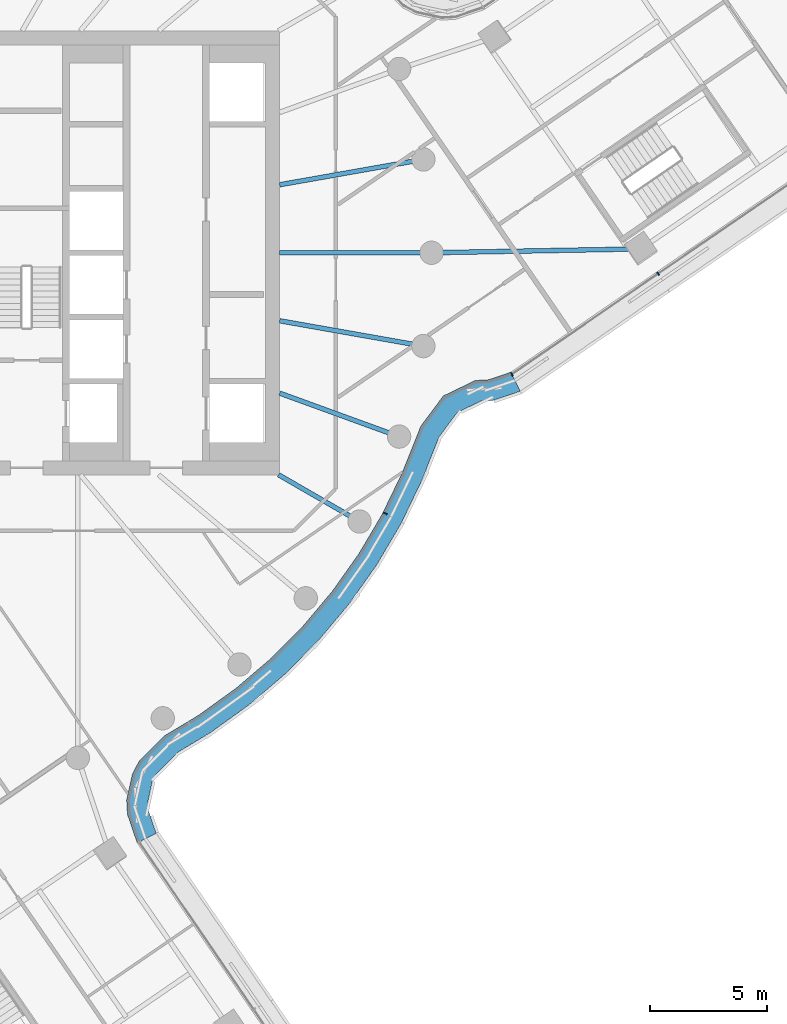
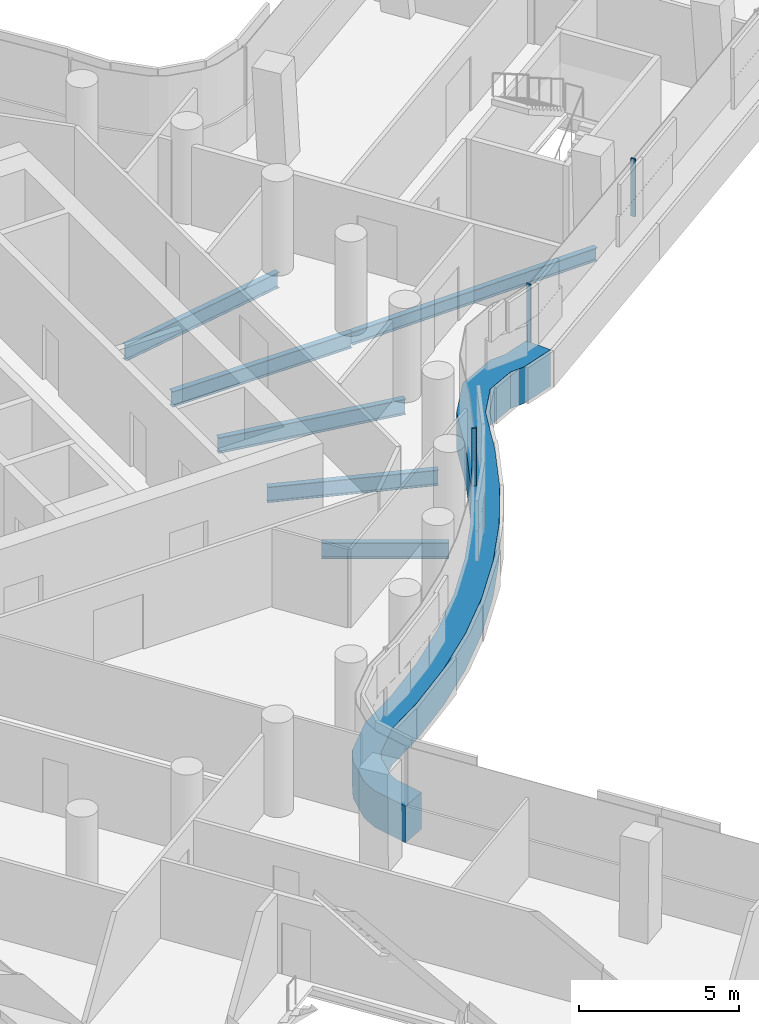
# One storey, part 12 of 33: 6 beams, 4 members, 2 elements without a shape of their own.
"""IFC4 building model written with IfcOpenShell, lengths in metres."""

import ifcopenshell
import ifcopenshell.guid

model = None  # the IFC model being written
_history = None  # IfcOwnerHistory: only IFC2X3 demands one
_inside = {}  # id of a spatial element -> (the spatial element, [elements in it])
_under = {}  # id of a project, library or spatial element -> (it, [spatial elements below it])
_declared = {}  # id of a project -> (the project, [libraries it declares])
_typed = {}  # id of a type object -> (the type object, [elements of that type])
_made_of = {}  # id of a material, layer set ... -> (it, [elements and type objects made of it])


def new_model(schema):
    """Start an empty IFC model of exactly this schema.

    Asked for "IFC4X3", IfcOpenShell would pick the latest addendum, in which some entities
    have other attributes; the version numbers below select the first issue.
    IFC2X3 requires an IfcOwnerHistory on every rooted entity: one is made here for all.
    """
    global model, _history
    if schema == "IFC4X3":
        model = ifcopenshell.file(schema_version=(4, 3, 0, 0))
    else:
        model = ifcopenshell.file(schema=schema)
    _inside.clear()
    _under.clear()
    _declared.clear()
    _typed.clear()
    _made_of.clear()
    _history = None
    if model.schema == "IFC2X3":
        org = make("IfcOrganization", Name="unknown")
        user = make(
            "IfcPersonAndOrganization",
            ThePerson=make("IfcPerson", FamilyName="unknown"),
            TheOrganization=org,
        )
        app = make(
            "IfcApplication",
            ApplicationDeveloper=org,
            Version="unknown",
            ApplicationFullName="unknown",
            ApplicationIdentifier="unknown",
        )
        _history = make(
            "IfcOwnerHistory",
            OwningUser=user,
            OwningApplication=app,
            ChangeAction="ADDED",
            CreationDate=0,
        )
    return model


def make(cls, **values):
    """One entity of the class cls with the attributes given. An attribute that is None is left unset."""
    return model.create_entity(
        cls, **{name: value for name, value in values.items() if value is not None}
    )


def rooted(cls, **values):
    """An entity with a GlobalId (a new one), such as an element, a storey or a relation."""
    return make(cls, GlobalId=ifcopenshell.guid.new(), OwnerHistory=_history, **values)


def si_unit(unit_type, name, prefix=None):
    """IfcSIUnit, for example si_unit("LENGTHUNIT", "METRE", prefix="MILLI")."""
    return make("IfcSIUnit", UnitType=unit_type, Prefix=prefix, Name=name)


def assignment(units):
    """IfcUnitAssignment: the units of a project."""
    return None if units is None else make("IfcUnitAssignment", Units=units)


def point(xyz):
    """IfcCartesianPoint."""
    return None if xyz is None else make("IfcCartesianPoint", Coordinates=xyz)


def direction(xyz):
    """IfcDirection."""
    return None if xyz is None else make("IfcDirection", DirectionRatios=xyz)


def frame(location, z_axis=None, x_axis=None):
    """IfcAxis2Placement3D, a coordinate frame: its origin and axes. An axis left out is left unset."""
    return make(
        "IfcAxis2Placement3D",
        Location=point(location),
        Axis=direction(z_axis),
        RefDirection=direction(x_axis),
    )


def frame_2d(location, x_axis=None):
    """IfcAxis2Placement2D, a coordinate frame in the plane: its origin and x axis."""
    return make(
        "IfcAxis2Placement2D", Location=point(location), RefDirection=direction(x_axis)
    )


def origin():
    """The frame at (0, 0, 0) with its axes left unset."""
    return frame((0.0, 0.0, 0.0))


def origin_2d():
    """The frame at (0, 0) in the plane with its x axis left unset."""
    return frame_2d((0.0, 0.0))


def place(relative_to, where):
    """IfcLocalPlacement: puts the frame where relative to a parent placement (None: the world)."""
    return make(
        "IfcLocalPlacement", PlacementRelTo=relative_to, RelativePlacement=where
    )


def context(
    kind, dimensions, precision=None, world=None, true_north=None, identifier=None
):
    """IfcGeometricRepresentationContext, for example the 3D "Model" context."""
    return make(
        "IfcGeometricRepresentationContext",
        ContextIdentifier=identifier,
        ContextType=kind,
        CoordinateSpaceDimension=dimensions,
        Precision=precision,
        WorldCoordinateSystem=world,
        TrueNorth=true_north,
    )


def subcontext(parent, identifier, kind, view, scale=None):
    """IfcGeometricRepresentationSubContext, for example "Body" below "Model"."""
    return make(
        "IfcGeometricRepresentationSubContext",
        ContextIdentifier=identifier,
        ContextType=kind,
        ParentContext=parent,
        TargetScale=scale,
        TargetView=view,
    )


def project(units=None, contexts=None):
    """IfcProject with its units and contexts."""
    return rooted(
        "IfcProject",
        Name="project",
        RepresentationContexts=contexts,
        UnitsInContext=assignment(units),
    )


def spatial(cls, under=None, at=None, **own):
    """A site, building, storey or space (cls), placed at a placement, below another one or the project."""
    s = rooted(cls, ObjectPlacement=at, **own)
    if under is not None:
        _under.setdefault(under.id(), (under, []))[1].append(s)
    return s


def polyline(points):
    """IfcPolyline through the points."""
    return make("IfcPolyline", Points=[point(p) for p in points])


def profile(cls, at=None, kind="AREA", **sizes):
    """A parametric profile (cls). Its sizes go by their IFC names, for example OverallWidth=200.0."""
    return make(cls, ProfileType=kind, Position=at, **sizes)


def rectangle(**sizes):
    """IfcRectangleProfileDef."""
    return profile("IfcRectangleProfileDef", **sizes)


def i_section(**sizes):
    """IfcIShapeProfileDef."""
    return profile("IfcIShapeProfileDef", **sizes)


def outline(outer, holes=None, kind="AREA"):
    """IfcArbitraryClosedProfileDef: a profile drawn as a closed curve; with holes, ...WithVoids."""
    if holes is None:
        return make("IfcArbitraryClosedProfileDef", ProfileType=kind, OuterCurve=outer)
    return make(
        "IfcArbitraryProfileDefWithVoids",
        ProfileType=kind,
        OuterCurve=outer,
        InnerCurves=holes,
    )


def extrude(swept, where, along, depth):
    """IfcExtrudedAreaSolid: the profile swept, set in the frame where, extruded along a direction by depth."""
    return make(
        "IfcExtrudedAreaSolid",
        SweptArea=swept,
        Position=where,
        ExtrudedDirection=direction(along),
        Depth=depth,
    )


def shape(context_of_items, identifier, shape_type, items):
    """IfcShapeRepresentation: the items that make up one representation, for example the "Body"."""
    return make(
        "IfcShapeRepresentation",
        ContextOfItems=context_of_items,
        RepresentationIdentifier=identifier,
        RepresentationType=shape_type,
        Items=items,
    )


def material(Name=None, Category=None):
    """IfcMaterial."""
    return make("IfcMaterial", Name=Name, Category=Category)


def layer(
    of_material, thickness, ventilated=None, Name=None, Category=None, Priority=None
):
    """IfcMaterialLayer: one layer of a wall or slab, of a material (None: an air gap)."""
    return make(
        "IfcMaterialLayer",
        Material=of_material,
        LayerThickness=thickness,
        IsVentilated=ventilated,
        Name=Name,
        Category=Category,
        Priority=Priority,
    )


def layer_set(layers, Name=None):
    """IfcMaterialLayerSet."""
    return make("IfcMaterialLayerSet", MaterialLayers=layers, LayerSetName=Name)


def material_profile(
    of_material, cross_section, Name=None, Category=None, Priority=None
):
    """IfcMaterialProfile: a cross section and its material."""
    return make(
        "IfcMaterialProfile",
        Name=Name,
        Material=of_material,
        Profile=cross_section,
        Priority=Priority,
        Category=Category,
    )


def profile_set(profiles, Name=None, composite=None):
    """IfcMaterialProfileSet."""
    return make(
        "IfcMaterialProfileSet",
        Name=Name,
        MaterialProfiles=profiles,
        CompositeProfile=composite,
    )


def made_of(thing, what):
    """Note that an element or type object is made of a material, layer set ...; save() writes the relation."""
    if what is not None:
        _made_of.setdefault(what.id(), (what, []))[1].append(thing)
    return thing


def type_object(cls, material=None, **own):
    """A type object (cls), such as IfcWallType, which elements share."""
    return made_of(rooted(cls, **own), material)


def element(
    cls,
    number,
    at=None,
    inside=None,
    cuts=None,
    type_object=None,
    material=None,
    context=None,
    identifier="Body",
    shape_type=None,
    held_by="IfcProductDefinitionShape",
    body=None,
    shapes=None,
    **own,
):
    """One element of the class cls, such as IfcWall. Its Tag is "e" and its number.

    at: its placement. inside: the storey or other place that contains it. cuts: it is an
    opening in that element (IfcRelVoidsElement). A single representation is given by context,
    identifier, shape_type and body (its items); several are given by shapes. held_by: the class
    of the entity that holds the representations. save() writes the other relations.
    """
    e = rooted(cls, Tag="e%d" % number, ObjectPlacement=at, **own)
    if body is not None:
        shapes = [shape(context, identifier, shape_type, body)]
    if shapes is not None:
        e.Representation = make(held_by, Representations=shapes)
    if inside is not None:
        _inside.setdefault(inside.id(), (inside, []))[1].append(e)
    if cuts is not None:
        rooted(
            "IfcRelVoidsElement", RelatingBuildingElement=cuts, RelatedOpeningElement=e
        )
    if type_object is not None:
        _typed.setdefault(type_object.id(), (type_object, []))[1].append(e)
    return made_of(e, material)


def aggregate(whole, parts):
    """IfcRelAggregates: a whole, such as a stair, and the parts it consists of."""
    return rooted("IfcRelAggregates", RelatingObject=whole, RelatedObjects=parts)


def save(model, path):
    """Write the relations noted so far, then the file.

    IfcRelAggregates (storeys below a building ...), IfcRelContainedInSpatialStructure (elements
    in a storey), IfcRelDefinesByType, IfcRelAssociatesMaterial and IfcRelDeclares: one each for
    every whole, place, type object, material and project.
    """
    for whole, parts in _under.values():
        aggregate(whole, parts)
    for where, things in _inside.values():
        rooted(
            "IfcRelContainedInSpatialStructure",
            RelatedElements=things,
            RelatingStructure=where,
        )
    for kind, things in _typed.values():
        rooted("IfcRelDefinesByType", RelatedObjects=things, RelatingType=kind)
    for what, things in _made_of.values():
        rooted("IfcRelAssociatesMaterial", RelatedObjects=things, RelatingMaterial=what)
    for by, libraries in _declared.values():
        rooted("IfcRelDeclares", RelatingContext=by, RelatedDefinitions=libraries)
    model.write(path)


model = new_model("IFC4")

# Units and contexts
model_context = context("Model", 3, precision=1e-05, world=origin(), true_north=direction((0.0, 1.0)))
body_context = subcontext(model_context, "Body", "Model", "MODEL_VIEW")
ifc_project = project(units=[si_unit("LENGTHUNIT", "METRE"), si_unit("AREAUNIT", "SQUARE_METRE"), si_unit("VOLUMEUNIT", "CUBIC_METRE"), si_unit("PLANEANGLEUNIT", "RADIAN"), si_unit("MASSUNIT", "GRAM", prefix="KILO")], contexts=[model_context])

# Site, building, storey
site_placement = place(None, origin())
site = spatial("IfcSite", under=ifc_project, at=site_placement, CompositionType="ELEMENT")
building_placement = place(site_placement, origin())
building = spatial("IfcBuilding", under=site, at=building_placement, Name="Tamarind Cross Interchange Tower", CompositionType="ELEMENT")
storey_placement = place(building_placement, frame((0.0, 0.0, 159.25)))
storey = spatial("IfcBuildingStorey", under=building, at=storey_placement, Name="L39", CompositionType="ELEMENT", Elevation=159.25)

# Beams
ifc_material_1 = material(Name="Steel Q355B", Category="steel")
ifc_material_profile_1 = material_profile(ifc_material_1, i_section(OverallWidth=0.198974609375, OverallDepth=0.49609375, WebThickness=0.009033203125, FlangeThickness=0.013916015625, FilletRadius=0.012939453125, at=origin_2d()), Name="HN 496x199x9x14")
ifc_profile_set_1 = profile_set([ifc_material_profile_1], Name="Steel Q355B")
beam_type_1 = type_object("IfcBeamType", Name="Composite beam HN 496x199x9x14 Q355B", PredefinedType="BEAM", material=ifc_profile_set_1)
beam_1_placement = place(storey_placement, frame((31.95556640625, 0.164794921875, -0.387939453125), z_axis=(-0.999830737301, -0.01839828111, 0.0), x_axis=(0.01839828111, -0.999830737301, 0.0)))
element("IfcBeam", 1, at=beam_1_placement, inside=storey, type_object=beam_type_1, Name="Beam E-linkem", PredefinedType="BEAM", context=body_context, shape_type="SweptSolid", body=[
    extrude(i_section(OverallWidth=0.198974609375, OverallDepth=0.49609375, WebThickness=0.009033203125, FlangeThickness=0.013916015625, FilletRadius=0.012939453125, at=origin_2d()), origin(), (0.0, 0.0, 1.0), 8.95703125),
])
ifc_material_profile_2 = material_profile(ifc_material_1, i_section(OverallWidth=0.198974609375, OverallDepth=0.595947265625, WebThickness=0.010009765625, FlangeThickness=0.014892578125, FilletRadius=0.012939453125, at=origin_2d()), Name="HN 596x199x10x15")
ifc_profile_set_2 = profile_set([ifc_material_profile_2], Name="Steel Q355B")
beam_type_2 = type_object("IfcBeamType", Name="Composite beam HN 596x199x10x15 Q355B", PredefinedType="BEAM", material=ifc_profile_set_2)
beam_2_placement = place(storey_placement, frame((23.0, 0.0, -0.43798828125), z_axis=(-1.0, 0.0, 0.0), x_axis=(0.0, -1.0, 0.0)))
element("IfcBeam", 2, at=beam_2_placement, inside=storey, type_object=beam_type_2, Name="Beam HH00", PredefinedType="BEAM", context=body_context, shape_type="SweptSolid", body=[
    extrude(i_section(OverallWidth=0.198974609375, OverallDepth=0.595947265625, WebThickness=0.010009765625, FlangeThickness=0.014892578125, FilletRadius=0.012939453125, at=origin_2d()), origin(), (0.0, 0.0, 1.0), 6.5),
])
beam_3_placement = place(storey_placement, frame((22.650634765625, 3.993896484375, -0.43798828125), z_axis=(-0.984809127561, -0.173640382036, 0.0), x_axis=(0.173640382036, -0.984809127561, 0.0)))
element("IfcBeam", 3, at=beam_3_placement, inside=storey, type_object=beam_type_2, Name="Beam HH01", PredefinedType="BEAM", context=body_context, shape_type="SweptSolid", body=[
    extrude(i_section(OverallWidth=0.198974609375, OverallDepth=0.595947265625, WebThickness=0.010009765625, FlangeThickness=0.014892578125, FilletRadius=0.012939453125, at=origin_2d()), origin(), (0.0, 0.0, 1.0), 6.24560546875),
])
beam_4_placement = place(storey_placement, frame((19.918701171875, -11.5, -0.43798828125), z_axis=(-0.866026010844, 0.49999894854, 0.0), x_axis=(-0.49999894854, -0.866026010844, 0.0)))
element("IfcBeam", 4, at=beam_4_placement, inside=storey, type_object=beam_type_2, Name="Beam HH33", PredefinedType="BEAM", context=body_context, shape_type="SweptSolid", body=[
    extrude(i_section(OverallWidth=0.198974609375, OverallDepth=0.595947265625, WebThickness=0.010009765625, FlangeThickness=0.014892578125, FilletRadius=0.012939453125, at=origin_2d()), origin(), (0.0, 0.0, 1.0), 4.0),
])
beam_5_placement = place(storey_placement, frame((21.613037109375, -7.866455078125, -0.43798828125), z_axis=(-0.939701685589, 0.341995236956, 0.0), x_axis=(-0.341995236956, -0.939701685589, 0.0)))
element("IfcBeam", 5, at=beam_5_placement, inside=storey, type_object=beam_type_2, Name="Beam HH34", PredefinedType="BEAM", context=body_context, shape_type="SweptSolid", body=[
    extrude(i_section(OverallWidth=0.198974609375, OverallDepth=0.595947265625, WebThickness=0.010009765625, FlangeThickness=0.014892578125, FilletRadius=0.012939453125, at=origin_2d()), origin(), (0.0, 0.0, 1.0), 5.441162109375),
])
beam_6_placement = place(storey_placement, frame((22.650634765625, -3.993896484375, -0.43798828125), z_axis=(-0.984809127561, 0.173640382036, 0.0), x_axis=(-0.173640382036, -0.984809127561, 0.0)))
element("IfcBeam", 6, at=beam_6_placement, inside=storey, type_object=beam_type_2, Name="Beam HH35", PredefinedType="BEAM", context=body_context, shape_type="SweptSolid", body=[
    extrude(i_section(OverallWidth=0.198974609375, OverallDepth=0.595947265625, WebThickness=0.010009765625, FlangeThickness=0.014892578125, FilletRadius=0.012939453125, at=origin_2d()), origin(), (0.0, 0.0, 1.0), 6.24560546875),
])

# Curtain wall, members
ifc_material_2 = material(Name="Aluminium 6063-T6", Category="aluminium")
ifc_layer = layer(ifc_material_2, 0.159912109375)
ifc_layer_set = layer_set([ifc_layer], Name="Aluminium 6063-T6")
curtain_wall_type = type_object("IfcCurtainWallType", Name="Office curtain wall, 9.0 m bays", PredefinedType="NOTDEFINED", material=ifc_layer_set)
curtain_wall_1_placement = place(storey_placement, origin())
curtain_wall_1 = element("IfcCurtainWall", 7, at=curtain_wall_1_placement, inside=storey, type_object=curtain_wall_type, Name="CWS-L39-06", PredefinedType="NOTDEFINED")
ifc_material_3 = material(Name="Aluminium and insulated spandrel panel", Category="aluminium")
member_type_1 = type_object("IfcMemberType", Name="Floor-edge blade transom", PredefinedType="USERDEFINED", material=ifc_material_3)
member_1_placement = place(storey_placement, origin())
member_1 = element("IfcMember", 8, at=member_1_placement, type_object=member_type_1, Name="CWT-L39-06", ObjectType="TRANSOM", PredefinedType="USERDEFINED", context=body_context, shape_type="SweptSolid", body=[
    extrude(outline(polyline([(10.404296875, -25.25), (9.98828125, -24.032958984375), (9.953857421875, -23.42333984375), (10.199951171875, -22.30126953125), (10.488037109375, -21.7587890625), (11.58740234375, -20.66015625), (13.04541015625, -19.78125), (14.634521484375, -18.636474609375), (16.12353515625, -17.3642578125), (17.50244140625, -15.973388671875), (18.76171875, -14.4736328125), (19.892822265625, -12.874755859375), (20.88818359375, -11.188232421875), (21.741455078125, -9.42333984375), (22.53759765625, -7.42529296875), (23.505615234375, -6.125), (24.876708984375, -5.462890625), (25.447265625, -5.43212890625), (26.393798828125, -5.1103515625), (26.801025390625, -5.922607421875), (25.61962890625, -6.32421875), (25.10546875, -6.35205078125), (24.095703125, -6.839599609375), (23.330078125, -7.8681640625), (22.565673828125, -9.786376953125), (21.68212890625, -11.613525390625), (20.64892578125, -13.3642578125), (19.474853515625, -15.023681640625), (18.167724609375, -16.580810546875), (16.736572265625, -18.0244140625), (15.19091796875, -19.344970703125), (13.541748046875, -20.533203125), (12.14599609375, -21.374267578125), (11.219482421875, -22.300048828125), (11.052490234375, -22.614501953125), (10.859375, -23.49560546875), (10.8798828125, -23.858642578125), (11.21630859375, -24.84326171875), (10.404296875, -25.25)])), origin(), (0.0, 0.0, 1.0), 1.39990234375),
])
ifc_material_profile_3 = material_profile(ifc_material_2, rectangle(XDim=0.06005859375, YDim=0.159912109375, at=origin_2d()), Name="Mullion CW1")
ifc_profile_set_3 = profile_set([ifc_material_profile_3], Name="Aluminium 6063-T6")
member_type_2 = type_object("IfcMemberType", Name="Mullion CW1", PredefinedType="MULLION", material=ifc_profile_set_3)
member_2_placement = place(storey_placement, frame((21.015380859375, -11.154296875, 1.39990234375), z_axis=(0.0, 0.0, 1.0), x_axis=(0.435326231914, 0.900272776334, 0.0)))
member_2 = element("IfcMember", 9, at=member_2_placement, type_object=member_type_2, Name="CWM-L39-06-02", PredefinedType="MULLION", context=body_context, shape_type="SweptSolid", body=[
    extrude(rectangle(XDim=0.06005859375, YDim=0.159912109375, at=origin_2d()), origin(), (0.0, 0.0, 1.0), 2.210205078125),
])
aggregate(curtain_wall_1, [member_2, member_1])

curtain_wall_2_placement = place(storey_placement, origin())
curtain_wall_2 = element("IfcCurtainWall", 10, at=curtain_wall_2_placement, inside=storey, type_object=curtain_wall_type, Name="CWS-L39-07", PredefinedType="NOTDEFINED")
member_3_placement = place(storey_placement, frame((26.43896484375, -5.20068359375, 1.39990234375), z_axis=(0.0, 0.0, 1.0), x_axis=(0.893931144224, 0.448204316564, 0.0)))
member_3 = element("IfcMember", 11, at=member_3_placement, type_object=member_type_2, Name="CWM-L39-07-00", PredefinedType="MULLION", context=body_context, shape_type="SweptSolid", body=[
    extrude(rectangle(XDim=0.06005859375, YDim=0.159912109375, at=origin_2d()), origin(), (0.0, 0.0, 1.0), 2.210205078125),
])
member_4_placement = place(storey_placement, frame((32.700439453125, -0.900634765625, 1.39990234375), z_axis=(0.0, 0.0, 1.0), x_axis=(0.824339660174, 0.566095508429, 0.0)))
member_4 = element("IfcMember", 12, at=member_4_placement, type_object=member_type_2, Name="CWM-L39-07-01", PredefinedType="MULLION", context=body_context, shape_type="SweptSolid", body=[
    extrude(rectangle(XDim=0.06005859375, YDim=0.159912109375, at=origin_2d()), origin(), (0.0, 0.0, 1.0), 2.210205078125),
])
aggregate(curtain_wall_2, [member_3, member_4])

save(model, "model.ifc")
